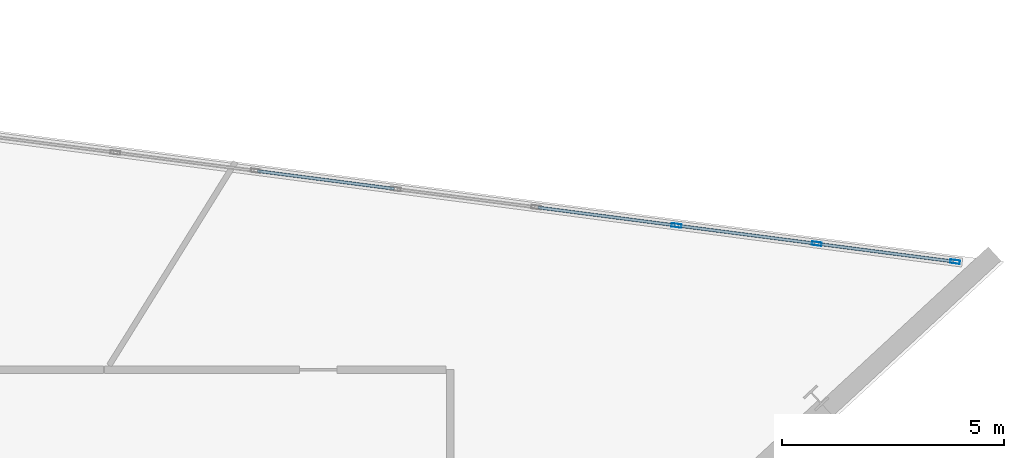
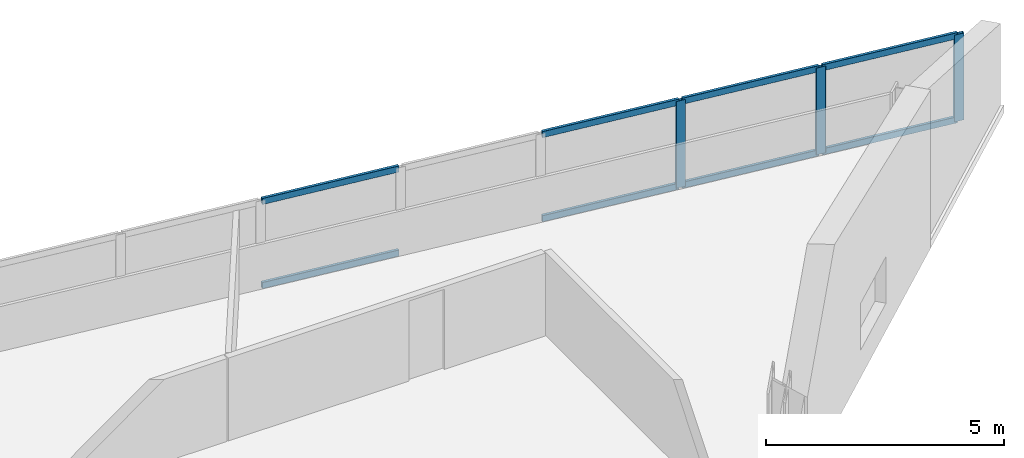
# One storey, part 4 of 7: 11 members, 1 element without a shape of its own.
"""IFC4 building model written with IfcOpenShell, lengths in metres."""

from ifc_helpers import new_model, si_unit, direction, frame, origin, origin_2d, place, context, subcontext, project, spatial, hollow_rectangle, extrude, material, material_profile, profile_set, type_object, element, aggregate, save


model = new_model("IFC4")

# Units and contexts
model_context = context("Model", 3, precision=1e-05, world=origin(), true_north=direction((0.0, 1.0)))
body_context = subcontext(model_context, "Body", "Model", "MODEL_VIEW")
ifc_project = project(units=[si_unit("LENGTHUNIT", "METRE"), si_unit("AREAUNIT", "SQUARE_METRE"), si_unit("VOLUMEUNIT", "CUBIC_METRE"), si_unit("PLANEANGLEUNIT", "RADIAN"), si_unit("MASSUNIT", "GRAM", prefix="KILO")], contexts=[model_context])

# Site, building, storey
site_placement = place(None, origin())
site = spatial("IfcSite", under=ifc_project, at=site_placement, CompositionType="ELEMENT")
building_placement = place(site_placement, origin())
building = spatial("IfcBuilding", under=site, at=building_placement, Name="Narakoshi Arena Tower", CompositionType="ELEMENT")
storey_placement = place(building_placement, frame((0.0, 0.0, 312.580078125)))
storey = spatial("IfcBuildingStorey", under=building, at=storey_placement, Name="L84", CompositionType="ELEMENT", Elevation=312.580078125)

# Curtain wall, members
ifc_material = material(Name="Anodised bronze aluminium 6063-T6", Category="aluminium")
curtain_wall_type = type_object("IfcCurtainWallType", Name="CW-CRN-FACET", PredefinedType="NOTDEFINED", material=ifc_material)
curtain_wall_placement = place(storey_placement, origin())
curtain_wall = element("IfcCurtainWall", 1, at=curtain_wall_placement, inside=storey, type_object=curtain_wall_type, Name="L84 Slanted-Cut Crown Curtain Wall 5-1", PredefinedType="NOTDEFINED")
ifc_material_profile_1 = material_profile(ifc_material, hollow_rectangle(XDim=0.080078125, YDim=0.219970703125, WallThickness=0.0048828125, OuterFilletRadius=0.006103515625, at=origin_2d()), Name="MUL220x80x5")
ifc_profile_set_1 = profile_set([ifc_material_profile_1], Name="Anodised bronze aluminium 6063-T6")
member_type_1 = type_object("IfcMemberType", Name="MEM-MUL-220", PredefinedType="MULLION", material=ifc_profile_set_1)
member_1_placement = place(storey_placement, frame((93.536865234375, 51.7919921875, 0.0), z_axis=(0.0, 0.0, 1.0), x_axis=(0.128889713319, 0.991658934211, 0.0)))
member_1 = element("IfcMember", 2, at=member_1_placement, type_object=member_type_1, Name="CW-06 mullion 14", PredefinedType="MULLION", context=body_context, shape_type="SweptSolid", body=[
    extrude(hollow_rectangle(XDim=0.080078125, YDim=0.219970703125, WallThickness=0.0048828125, OuterFilletRadius=0.006103515625, at=origin_2d()), origin(), (0.0, 0.0, 1.0), 2.2216796875),
])
member_2_placement = place(storey_placement, frame((96.69091796875, 51.382080078125, 0.0), z_axis=(0.0, 0.0, 1.0), x_axis=(0.128889713319, 0.991658934211, 0.0)))
member_2 = element("IfcMember", 3, at=member_2_placement, type_object=member_type_1, Name="CW-06 mullion 15", PredefinedType="MULLION", context=body_context, shape_type="SweptSolid", body=[
    extrude(hollow_rectangle(XDim=0.080078125, YDim=0.219970703125, WallThickness=0.0048828125, OuterFilletRadius=0.006103515625, at=origin_2d()), origin(), (0.0, 0.0, 1.0), 2.2216796875),
])
member_3_placement = place(storey_placement, frame((99.805419921875, 50.977294921875, 0.0), z_axis=(0.0, 0.0, 1.0), x_axis=(0.128889713319, 0.991658934211, 0.0)))
member_3 = element("IfcMember", 4, at=member_3_placement, type_object=member_type_1, Name="CW-06 mullion 16", PredefinedType="MULLION", context=body_context, shape_type="SweptSolid", body=[
    extrude(hollow_rectangle(XDim=0.080078125, YDim=0.219970703125, WallThickness=0.0048828125, OuterFilletRadius=0.006103515625, at=origin_2d()), origin(), (0.0, 0.0, 1.0), 2.2216796875),
])
ifc_material_profile_2 = material_profile(ifc_material, hollow_rectangle(XDim=0.070068359375, YDim=0.159912109375, WallThickness=0.00390625, OuterFilletRadius=0.0048828125, at=origin_2d()), Name="TRN160x70x4")
ifc_profile_set_2 = profile_set([ifc_material_profile_2], Name="Anodised bronze aluminium 6063-T6")
member_type_2 = type_object("IfcMemberType", Name="MEM-TRN-160", PredefinedType="USERDEFINED", material=ifc_profile_set_2)
member_4_placement = place(storey_placement, frame((84.114013671875, 53.016845703125, 0.034912109375), z_axis=(0.991657831749, -0.128898195218, 0.0), x_axis=(0.128898195218, 0.991657831749, 0.0)))
member_4 = element("IfcMember", 5, at=member_4_placement, type_object=member_type_2, Name="CW-06 transom 11.1", ObjectType="TRANSOM", PredefinedType="USERDEFINED", context=body_context, shape_type="SweptSolid", body=[
    extrude(hollow_rectangle(XDim=0.070068359375, YDim=0.159912109375, WallThickness=0.00390625, OuterFilletRadius=0.0048828125, at=origin_2d()), origin(), (0.0, 0.0, 1.0), 3.1005859375),
])
member_5_placement = place(storey_placement, frame((84.114013671875, 53.016845703125, 2.186767578125), z_axis=(0.991657831749, -0.128898195218, 0.0), x_axis=(0.128898195218, 0.991657831749, 0.0)))
member_5 = element("IfcMember", 6, at=member_5_placement, type_object=member_type_2, Name="CW-06 transom 11.2", ObjectType="TRANSOM", PredefinedType="USERDEFINED", context=body_context, shape_type="SweptSolid", body=[
    extrude(hollow_rectangle(XDim=0.070068359375, YDim=0.159912109375, WallThickness=0.00390625, OuterFilletRadius=0.0048828125, at=origin_2d()), origin(), (0.0, 0.0, 1.0), 3.1005859375),
])
member_6_placement = place(storey_placement, frame((90.42236328125, 52.19677734375, 0.034912109375), z_axis=(0.991657831749, -0.128898195218, 0.0), x_axis=(0.128898195218, 0.991657831749, 0.0)))
member_6 = element("IfcMember", 7, at=member_6_placement, type_object=member_type_2, Name="CW-06 transom 13.1", ObjectType="TRANSOM", PredefinedType="USERDEFINED", context=body_context, shape_type="SweptSolid", body=[
    extrude(hollow_rectangle(XDim=0.070068359375, YDim=0.159912109375, WallThickness=0.00390625, OuterFilletRadius=0.0048828125, at=origin_2d()), origin(), (0.0, 0.0, 1.0), 3.1005859375),
])
member_7_placement = place(storey_placement, frame((90.42236328125, 52.19677734375, 2.186767578125), z_axis=(0.991657831749, -0.128898195218, 0.0), x_axis=(0.128898195218, 0.991657831749, 0.0)))
member_7 = element("IfcMember", 8, at=member_7_placement, type_object=member_type_2, Name="CW-06 transom 13.2", ObjectType="TRANSOM", PredefinedType="USERDEFINED", context=body_context, shape_type="SweptSolid", body=[
    extrude(hollow_rectangle(XDim=0.070068359375, YDim=0.159912109375, WallThickness=0.00390625, OuterFilletRadius=0.0048828125, at=origin_2d()), origin(), (0.0, 0.0, 1.0), 3.1005859375),
])
member_8_placement = place(storey_placement, frame((93.576416015625, 51.786865234375, 0.034912109375), z_axis=(0.991659139849, -0.128888131158, 0.0), x_axis=(0.128888131158, 0.991659139849, 0.0)))
member_8 = element("IfcMember", 9, at=member_8_placement, type_object=member_type_2, Name="CW-06 transom 14.1", ObjectType="TRANSOM", PredefinedType="USERDEFINED", context=body_context, shape_type="SweptSolid", body=[
    extrude(hollow_rectangle(XDim=0.070068359375, YDim=0.159912109375, WallThickness=0.00390625, OuterFilletRadius=0.0048828125, at=origin_2d()), origin(), (0.0, 0.0, 1.0), 3.100830078125),
])
member_9_placement = place(storey_placement, frame((93.576416015625, 51.786865234375, 2.186767578125), z_axis=(0.991659139849, -0.128888131158, 0.0), x_axis=(0.128888131158, 0.991659139849, 0.0)))
member_9 = element("IfcMember", 10, at=member_9_placement, type_object=member_type_2, Name="CW-06 transom 14.2", ObjectType="TRANSOM", PredefinedType="USERDEFINED", context=body_context, shape_type="SweptSolid", body=[
    extrude(hollow_rectangle(XDim=0.070068359375, YDim=0.159912109375, WallThickness=0.00390625, OuterFilletRadius=0.0048828125, at=origin_2d()), origin(), (0.0, 0.0, 1.0), 3.100830078125),
])
member_10_placement = place(storey_placement, frame((96.730712890625, 51.376953125, 0.034912109375), z_axis=(0.991657248834, -0.128902679707, 0.0), x_axis=(0.128902679707, 0.991657248834, 0.0)))
member_10 = element("IfcMember", 11, at=member_10_placement, type_object=member_type_2, Name="CW-06 transom 15.1", ObjectType="TRANSOM", PredefinedType="USERDEFINED", context=body_context, shape_type="SweptSolid", body=[
    extrude(hollow_rectangle(XDim=0.070068359375, YDim=0.159912109375, WallThickness=0.00390625, OuterFilletRadius=0.0048828125, at=origin_2d()), origin(), (0.0, 0.0, 1.0), 3.060791015625),
])
member_11_placement = place(storey_placement, frame((96.730712890625, 51.376953125, 2.186767578125), z_axis=(0.991657248834, -0.128902679707, 0.0), x_axis=(0.128902679707, 0.991657248834, 0.0)))
member_11 = element("IfcMember", 12, at=member_11_placement, type_object=member_type_2, Name="CW-06 transom 15.2", ObjectType="TRANSOM", PredefinedType="USERDEFINED", context=body_context, shape_type="SweptSolid", body=[
    extrude(hollow_rectangle(XDim=0.070068359375, YDim=0.159912109375, WallThickness=0.00390625, OuterFilletRadius=0.0048828125, at=origin_2d()), origin(), (0.0, 0.0, 1.0), 3.060791015625),
])
aggregate(curtain_wall, [member_1, member_2, member_3, member_4, member_5, member_6, member_7, member_8, member_9, member_10, member_11])

save(model, "model.ifc")
